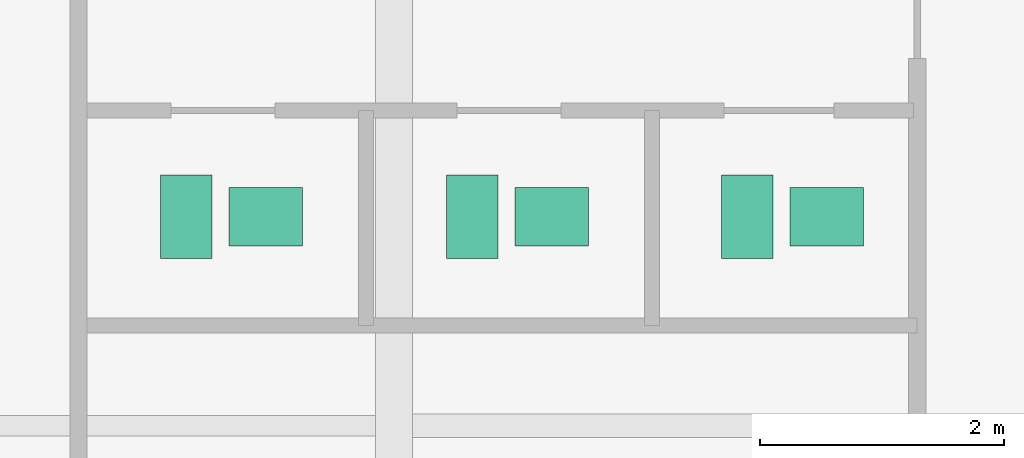
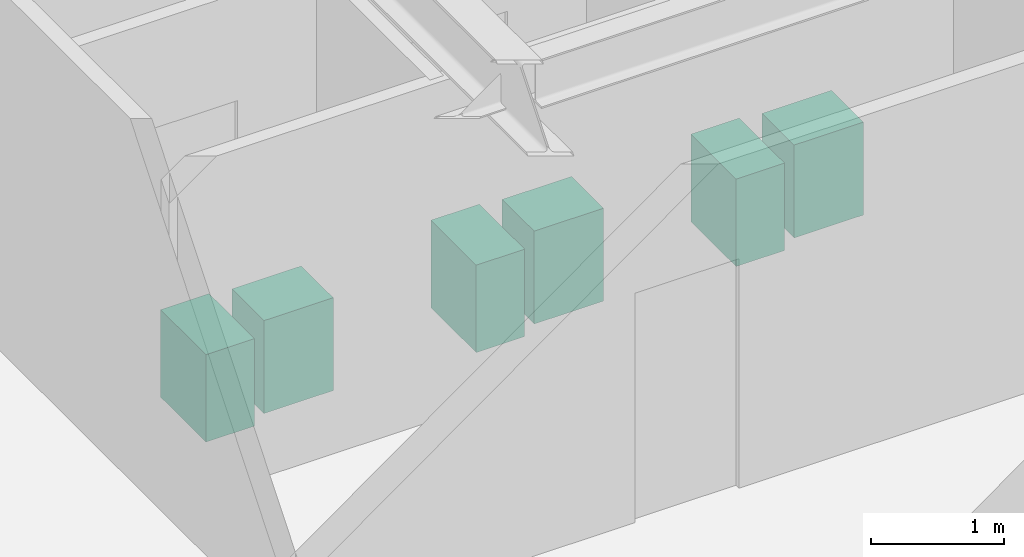
# One storey, part 27 of 27: 6 sanitary terminals.
"""IFC4 building model written with IfcOpenShell, lengths in metres."""

from ifc_helpers import new_model, si_unit, direction, frame, origin, origin_2d, place, context, subcontext, project, spatial, rectangle, extrude, source, transform, mapped, material, type_object, type_shapes, element, save


model = new_model("IFC4")

# Units and contexts
model_context = context("Model", 3, precision=1e-05, world=origin(), true_north=direction((0.0, 1.0)))
body_context = subcontext(model_context, "Body", "Model", "MODEL_VIEW")
ifc_project = project(units=[si_unit("LENGTHUNIT", "METRE"), si_unit("AREAUNIT", "SQUARE_METRE"), si_unit("VOLUMEUNIT", "CUBIC_METRE"), si_unit("PLANEANGLEUNIT", "RADIAN"), si_unit("MASSUNIT", "GRAM", prefix="KILO")], contexts=[model_context])

# Site, building, storey
site_placement = place(None, origin())
site = spatial("IfcSite", under=ifc_project, at=site_placement, CompositionType="ELEMENT")
building_placement = place(site_placement, origin())
building = spatial("IfcBuilding", under=site, at=building_placement, Name="Krantzveldt Concourse Tower", CompositionType="ELEMENT")
storey_placement = place(building_placement, frame((0.0, 0.0, 185.699951171875)))
storey = spatial("IfcBuildingStorey", under=building, at=storey_placement, Name="L45", CompositionType="ELEMENT", Elevation=185.699951171875)

# Sanitary terminals
ifc_material = material(Name="Vitreous china", Category="ceramic")
sanitary_terminal_type_1 = type_object("IfcSanitaryTerminalType", Name="SAN-WC-SUITE", PredefinedType="TOILETPAN", material=ifc_material)
shared_shape_1 = source(origin(), body_context, "Body", "SweptSolid", [
    extrude(rectangle(XDim=0.419921875, YDim=0.679931640625, at=origin_2d()), origin(), (0.0, 0.0, 1.0), 0.800048828125),
])
type_shapes(sanitary_terminal_type_1, [shared_shape_1])
for number, where, z_axis, x_axis, name in (
    (1, (28.89990234375, 31.909912109375, 0.0), (0.0, 0.0, 1.0), (1.0, 0.0, 0.0), "WC-SP-L45-WCM"),
    (2, (31.239990234375, 31.909912109375, 0.0), (0.0, 0.0, 1.0), (1.0, 0.0, 0.0), "WC-SP-L45-WCF"),
    (3, (33.489990234375, 31.909912109375, 0.0), (0.0, 0.0, 1.0), (1.0, 0.0, 0.0), "WC-SP-L45-WCA"),
):
    element("IfcSanitaryTerminal", number, at=place(storey_placement, frame(where, z_axis=z_axis, x_axis=x_axis)), inside=storey, type_object=sanitary_terminal_type_1, Name=name, PredefinedType="TOILETPAN", context=body_context, shape_type="MappedRepresentation", body=[
        mapped(shared_shape_1, transform((0.0, 0.0, 0.0), x_axis=(1.0, 0.0, 0.0), y_axis=(0.0, 1.0, 0.0), z_axis=(0.0, 0.0, 1.0), scale=1.0)),
    ])
sanitary_terminal_type_2 = type_object("IfcSanitaryTerminalType", Name="SAN-BASIN-600", PredefinedType="WASHHANDBASIN", material=ifc_material)
shared_shape_2 = source(origin(), body_context, "Body", "SweptSolid", [
    extrude(rectangle(XDim=0.60009765625, YDim=0.47998046875, at=origin_2d()), origin(), (0.0, 0.0, 1.0), 0.85009765625),
])
type_shapes(sanitary_terminal_type_2, [shared_shape_2])
for number, where, z_axis, x_axis, name in (
    (4, (29.550048828125, 31.909912109375, 0.0048828125), (0.0, 0.0, 1.0), (1.0, 0.0, 0.0), "BSN-SP-L45-WCM"),
    (5, (31.889892578125, 31.909912109375, 0.0048828125), (0.0, 0.0, 1.0), (1.0, 0.0, 0.0), "BSN-SP-L45-WCF"),
    (6, (34.139892578125, 31.909912109375, 0.0048828125), (0.0, 0.0, 1.0), (1.0, 0.0, 0.0), "BSN-SP-L45-WCA"),
):
    element("IfcSanitaryTerminal", number, at=place(storey_placement, frame(where, z_axis=z_axis, x_axis=x_axis)), inside=storey, type_object=sanitary_terminal_type_2, Name=name, PredefinedType="WASHHANDBASIN", context=body_context, shape_type="MappedRepresentation", body=[
        mapped(shared_shape_2, transform((0.0, 0.0, 0.0), x_axis=(1.0, 0.0, 0.0), y_axis=(0.0, 1.0, 0.0), z_axis=(0.0, 0.0, 1.0), scale=1.0)),
    ])

save(model, "model.ifc")
